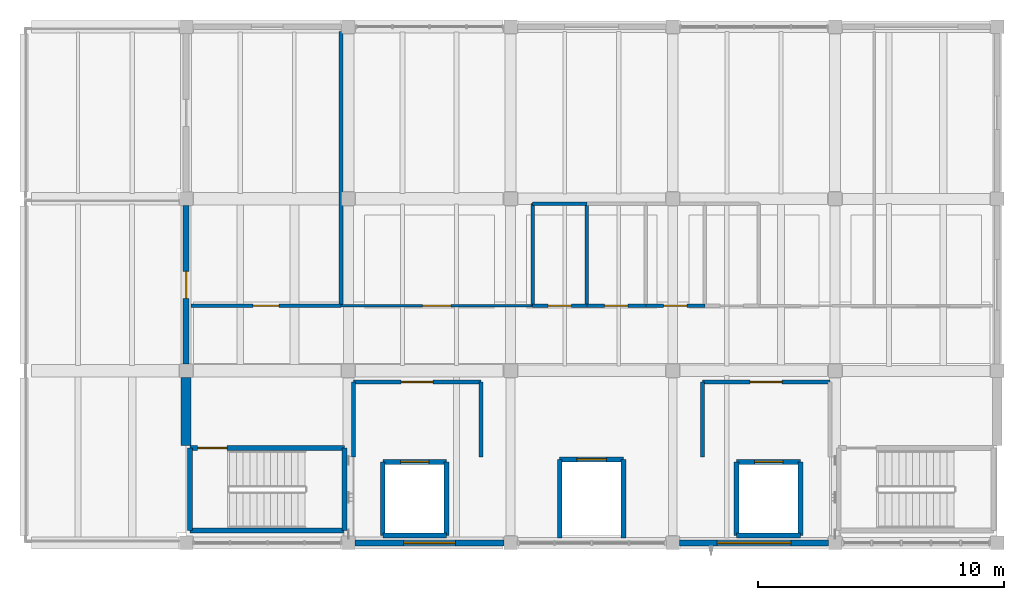
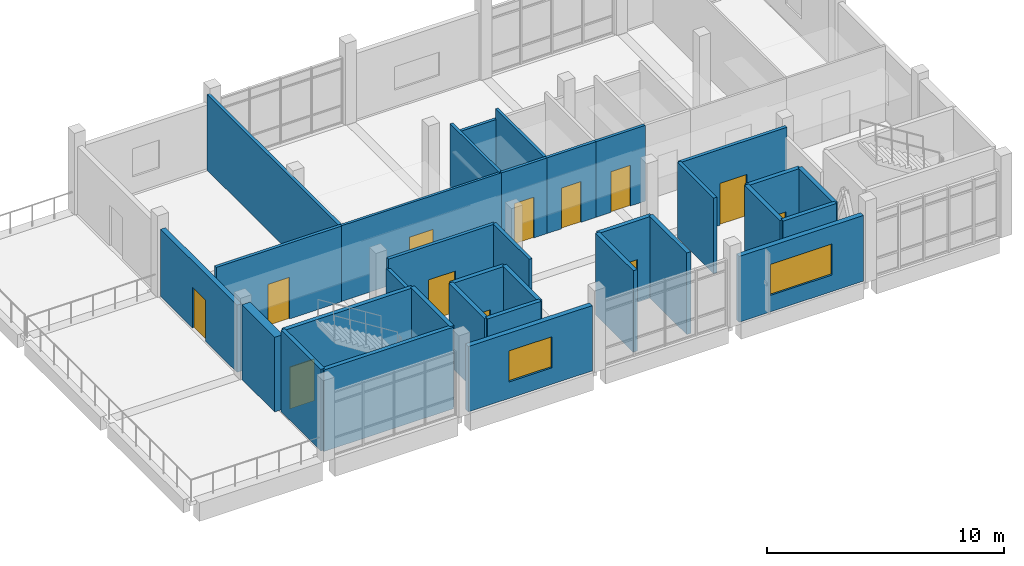
# One storey, part 8 of 12: 33 walls, 12 doors, 2 windows, 14 openings.
"""IFC4 building model written with IfcOpenShell, lengths in metres."""

from ifc_helpers import new_model, si_unit, direction, frame, frame_2d, origin, place, context, subcontext, project, spatial, rectangle, extrude, material, layer, layer_set, type_object, element, fill, save


model = new_model("IFC4")

# Units and contexts
model_context = context("Model", 3, precision=1e-05, world=origin(), true_north=direction((0.0, 1.0)))
body_context = subcontext(model_context, "Body", "Model", "MODEL_VIEW")
ifc_project = project(units=[si_unit("LENGTHUNIT", "METRE"), si_unit("AREAUNIT", "SQUARE_METRE"), si_unit("VOLUMEUNIT", "CUBIC_METRE"), si_unit("PLANEANGLEUNIT", "RADIAN"), si_unit("MASSUNIT", "GRAM", prefix="KILO")], contexts=[model_context])

# Site, building, storey
site_placement = place(None, origin())
site = spatial("IfcSite", under=ifc_project, at=site_placement, CompositionType="ELEMENT")
building_placement = place(site_placement, origin())
building = spatial("IfcBuilding", under=site, at=building_placement, Name="Ciguamira Faculty of Natural Sciences", CompositionType="ELEMENT")
storey_placement = place(building_placement, frame((0.0, 0.0, 37.800048828125)))
storey = spatial("IfcBuildingStorey", under=building, at=storey_placement, Name="L09", CompositionType="ELEMENT", Elevation=37.800048828125)

# Wall, opening, window
ifc_material_1 = material(Name="Precast concrete C40/50", Category="concrete")
ifc_layer_1 = layer(ifc_material_1, 0.239990234375, Name="Precast concrete C40/50")
ifc_layer_set_1 = layer_set([ifc_layer_1], Name="Precast concrete C40/50")
wall_type_1 = type_object("IfcWallType", Name="ExtWall_EW-02_240", PredefinedType="SOLIDWALL", material=ifc_layer_set_1)
wall_1_placement = place(storey_placement, frame((77.375, 94.0, 0.0), z_axis=(0.0, 0.0, 1.0), x_axis=(1.0, 0.0, 0.0)))
wall_1 = element("IfcWall", 1, at=wall_1_placement, inside=storey, type_object=wall_type_1, Name="L09 exterior wall 0385", PredefinedType="SOLIDWALL", context=body_context, shape_type="SweptSolid", body=[
    extrude(rectangle(XDim=6.050048828125, YDim=0.239990234375, at=frame_2d((3.02490234375, 0.0))), origin(), (0.0, 0.0, 1.0), 3.364990234375),
])
opening_1_placement = place(wall_1_placement, frame((1.97509765625, 0.0, 0.85009765625)))
opening_1 = element("IfcOpeningElement", 2, at=opening_1_placement, cuts=wall_1, Name="Opening WT-22", PredefinedType="OPENING", context=body_context, shape_type="SweptSolid", body=[
    extrude(rectangle(XDim=2.10009765625, YDim=1.60009765625, at=frame_2d((1.050048828125, 0.800048828125))), frame((0.0, 0.1298828125, 0.0), z_axis=(0.0, -1.0, 0.0), x_axis=(1.0, 0.0, 0.0)), (0.0, 0.0, 1.0), 0.260009765625),
])
ifc_material_2 = material(Name="Hurricane laminated solar glass", Category="glass")
window_type_1 = type_object("IfcWindowType", Name="Window_WT-22_2100x1600", PartitioningType="DOUBLE_PANEL_VERTICAL", PredefinedType="WINDOW", material=ifc_material_2)
window_1_placement = place(opening_1_placement, origin())
window_1 = element("IfcWindow", 3, at=window_1_placement, inside=storey, type_object=window_type_1, Name="L09 facade window 0271", OverallHeight=1.60009765625, OverallWidth=2.10009765625, PartitioningType="SINGLE_PANEL", PredefinedType="WINDOW", context=body_context, shape_type="SweptSolid", body=[
    extrude(rectangle(XDim=2.10009765625, YDim=1.60009765625, at=frame_2d((1.050048828125, 0.800048828125))), frame((0.0, 0.030029296875, 0.0), z_axis=(0.0, -1.0, 0.0), x_axis=(1.0, 0.0, 0.0)), (0.0, 0.0, 1.0), 0.06005859375),
])
fill(opening_1, window_1)

wall_2_placement = place(storey_placement, frame((90.574951171875, 94.0, 0.0), z_axis=(0.0, 0.0, 1.0), x_axis=(1.0, 0.0, 0.0)))
wall_2 = element("IfcWall", 4, at=wall_2_placement, inside=storey, type_object=wall_type_1, Name="L09 exterior wall 0386", PredefinedType="SOLIDWALL", context=body_context, shape_type="SweptSolid", body=[
    extrude(rectangle(XDim=6.050048828125, YDim=0.239990234375, at=frame_2d((3.02490234375, 0.0))), origin(), (0.0, 0.0, 1.0), 3.385009765625),
])
opening_2_placement = place(wall_2_placement, frame((1.52490234375, 0.0, 0.85009765625)))
opening_2 = element("IfcOpeningElement", 5, at=opening_2_placement, cuts=wall_2, Name="Opening WT-25", PredefinedType="OPENING", context=body_context, shape_type="SweptSolid", body=[
    extrude(rectangle(XDim=3.0, YDim=1.60009765625, at=frame_2d((1.5, 0.800048828125))), frame((0.0, 0.1298828125, 0.0), z_axis=(0.0, -1.0, 0.0), x_axis=(1.0, 0.0, 0.0)), (0.0, 0.0, 1.0), 0.260009765625),
])
window_type_2 = type_object("IfcWindowType", Name="Window_WT-25_3000x1600", PartitioningType="DOUBLE_PANEL_VERTICAL", PredefinedType="WINDOW", material=ifc_material_2)
window_2_placement = place(opening_2_placement, origin())
window_2 = element("IfcWindow", 6, at=window_2_placement, inside=storey, type_object=window_type_2, Name="L09 facade window 0272", OverallHeight=1.60009765625, OverallWidth=3.0, PartitioningType="SINGLE_PANEL", PredefinedType="WINDOW", context=body_context, shape_type="SweptSolid", body=[
    extrude(rectangle(XDim=3.0, YDim=1.60009765625, at=frame_2d((1.5, 0.800048828125))), frame((0.0, 0.030029296875, 0.0), z_axis=(0.0, -1.0, 0.0), x_axis=(1.0, 0.0, 0.0)), (0.0, 0.0, 1.0), 0.06005859375),
])
fill(opening_2, window_2)

# Wall, opening, door
wall_3_placement = place(storey_placement, frame((70.5, 101.27490234375, 0.0), z_axis=(0.0, 0.0, 1.0), x_axis=(0.0, 1.0, 0.0)))
wall_3 = element("IfcWall", 7, at=wall_3_placement, inside=storey, type_object=wall_type_1, Name="L09 exterior wall 0391", PredefinedType="SOLIDWALL", context=body_context, shape_type="SweptSolid", body=[
    extrude(rectangle(XDim=6.4501953125, YDim=0.239990234375, at=frame_2d((3.22509765625, 0.0))), origin(), (0.0, 0.0, 1.0), 3.46484375),
])
opening_3_placement = place(wall_3_placement, frame((2.675048828125, 0.0, 0.0)))
opening_3 = element("IfcOpeningElement", 8, at=opening_3_placement, cuts=wall_3, Name="Opening ED-07", PredefinedType="OPENING", context=body_context, shape_type="SweptSolid", body=[
    extrude(rectangle(XDim=1.10009765625, YDim=2.10009765625, at=frame_2d((0.550048828125, 1.050048828125))), frame((0.0, 0.1298828125, 0.0), z_axis=(0.0, -1.0, 0.0), x_axis=(1.0, 0.0, 0.0)), (0.0, 0.0, 1.0), 0.260009765625),
])
ifc_material_3 = material(Name="Balcony single access door")
door_type_1 = type_object("IfcDoorType", Name="ExtDoor_ED-07_1100x2100", OperationType="NOTDEFINED", PredefinedType="DOOR", material=ifc_material_3)
door_1_placement = place(opening_3_placement, origin())
door_1 = element("IfcDoor", 9, at=door_1_placement, inside=storey, type_object=door_type_1, Name="Upper West Faculty Sky Terrace Door", OperationType="SINGLE_SWING_LEFT", OverallHeight=2.10009765625, OverallWidth=1.10009765625, PredefinedType="DOOR", context=body_context, shape_type="SweptSolid", body=[
    extrude(rectangle(XDim=1.10009765625, YDim=2.10009765625, at=frame_2d((0.550048828125, 1.050048828125))), frame((0.0, 0.02490234375, 0.0), z_axis=(0.0, -1.0, 0.0), x_axis=(1.0, 0.0, 0.0)), (0.0, 0.0, 1.0), 0.050048828125),
])
fill(opening_3, door_1)

# Walls
ifc_material_4 = material(Name="Concrete C40/50", Category="concrete")
ifc_layer_2 = layer(ifc_material_4, 0.39990234375, Name="Concrete C40/50")
ifc_layer_set_2 = layer_set([ifc_layer_2], Name="Concrete C40/50")
wall_type_2 = type_object("IfcWallType", Name="ExtWall_RW-02_400", PredefinedType="SHEAR", material=ifc_layer_set_2)
wall_4_placement = place(storey_placement, frame((70.5, 97.9599609375, 0.0), z_axis=(0.0, 0.0, 1.0), x_axis=(0.0, 1.0, 0.0)))
element("IfcWall", 10, at=wall_4_placement, inside=storey, type_object=wall_type_2, Name="L09 exterior wall 0390", PredefinedType="SHEAR", context=body_context, shape_type="SweptSolid", body=[
    extrude(rectangle(XDim=2.76513671875, YDim=0.39990234375, at=frame_2d((1.382568359375, 0.0))), origin(), (0.0, 0.0, 1.0), 3.849853515625),
])
ifc_layer_3 = layer(ifc_material_4, 0.199951171875, Name="Concrete C40/50")
ifc_layer_set_3 = layer_set([ifc_layer_3], Name="Concrete C40/50")
wall_type_3 = type_object("IfcWallType", Name="IntWall_CW-S20_200", PredefinedType="SHEAR", material=ifc_layer_set_3)
wall_5_placement = place(storey_placement, frame((70.64990234375, 94.5, 0.0), z_axis=(0.0, 0.0, 1.0), x_axis=(1.0, 0.0, 0.0)))
element("IfcWall", 11, at=wall_5_placement, inside=storey, type_object=wall_type_3, Name="L09 ST-T1 core shear wall south", PredefinedType="SHEAR", context=body_context, shape_type="SweptSolid", body=[
    extrude(rectangle(XDim=6.300048828125, YDim=0.199951171875, at=frame_2d((3.14990234375, 0.0))), origin(), (0.0, 0.0, 1.0), 4.199951171875),
])

# Wall, opening, door
wall_6_placement = place(storey_placement, frame((70.64990234375, 97.860107421875, 0.0), z_axis=(0.0, 0.0, 1.0), x_axis=(1.0, 0.0, 0.0)))
wall_6 = element("IfcWall", 12, at=wall_6_placement, inside=storey, type_object=wall_type_3, Name="L09 ST-T1 core shear wall north", PredefinedType="SHEAR", context=body_context, shape_type="SweptSolid", body=[
    extrude(rectangle(XDim=6.300048828125, YDim=0.199951171875, at=frame_2d((3.14990234375, 0.0))), origin(), (0.0, 0.0, 1.0), 4.199951171875),
])
opening_4_placement = place(wall_6_placement, frame((0.320068359375, 0.0, 0.0)))
opening_4 = element("IfcOpeningElement", 13, at=opening_4_placement, cuts=wall_6, Name="Opening ID-14", PredefinedType="OPENING", context=body_context, shape_type="SweptSolid", body=[
    extrude(rectangle(XDim=1.199951171875, YDim=2.14990234375, at=frame_2d((0.60009765625, 1.074951171875))), frame((0.0, 0.10986328125, 0.0), z_axis=(0.0, -1.0, 0.0), x_axis=(1.0, 0.0, 0.0)), (0.0, 0.0, 1.0), 0.219970703125),
])
ifc_material_5 = material(Name="Protected exit stair fire door")
door_type_2 = type_object("IfcDoorType", Name="IntDoor_ID-14_1200x2150", OperationType="NOTDEFINED", PredefinedType="DOOR", material=ifc_material_5)
door_2_placement = place(opening_4_placement, frame((1.199951171875, 0.0, 0.0), z_axis=(0.0, 0.0, 1.0), x_axis=(-1.0, 0.0, 0.0)))
door_2 = element("IfcDoor", 14, at=door_2_placement, inside=storey, type_object=door_type_2, Name="L09 ST-T1 exit stair fire door", OperationType="SINGLE_SWING_LEFT", OverallHeight=2.14990234375, OverallWidth=1.199951171875, PredefinedType="DOOR", context=body_context, shape_type="SweptSolid", body=[
    extrude(rectangle(XDim=1.199951171875, YDim=2.14990234375, at=frame_2d((0.60009765625, 1.074951171875))), frame((0.0, 0.02490234375, 0.0), z_axis=(0.0, -1.0, 0.0), x_axis=(1.0, 0.0, 0.0)), (0.0, 0.0, 1.0), 0.050048828125),
])
fill(opening_4, door_2)

# Walls
for number, where, z_axis, x_axis, name in (
    (15, (70.64990234375, 94.5, 0.0), (0.0, 0.0, 1.0), (0.0, 1.0, 0.0), "L09 ST-T1 core shear wall west"),
    (16, (76.949951171875, 94.5, 0.0), (0.0, 0.0, 1.0), (0.0, 1.0, 0.0), "L09 ST-T1 core shear wall east"),
):
    element("IfcWall", number, at=place(storey_placement, frame(where, z_axis=z_axis, x_axis=x_axis)), inside=storey, type_object=wall_type_3, Name=name, PredefinedType="SHEAR", context=body_context, shape_type="SweptSolid", body=[
        extrude(rectangle(XDim=3.360107421875, YDim=0.199951171875, at=frame_2d((1.68017578125, 0.0))), origin(), (0.0, 0.0, 1.0), 4.199951171875),
    ])
wall_7_placement = place(storey_placement, frame((78.5, 94.300048828125, 0.0), z_axis=(0.0, 0.0, 1.0), x_axis=(1.0, 0.0, 0.0)))
element("IfcWall", 17, at=wall_7_placement, inside=storey, type_object=wall_type_3, Name="L09 EL-FF1 hoistway wall south", PredefinedType="SHEAR", context=body_context, shape_type="SweptSolid", body=[
    extrude(rectangle(XDim=2.60009765625, YDim=0.199951171875, at=frame_2d((1.300048828125, 0.0))), origin(), (0.0, 0.0, 1.0), 4.199951171875),
])

# Wall, opening, door
wall_8_placement = place(storey_placement, frame((78.5, 97.300048828125, 0.0), z_axis=(0.0, 0.0, 1.0), x_axis=(1.0, 0.0, 0.0)))
wall_8 = element("IfcWall", 18, at=wall_8_placement, inside=storey, type_object=wall_type_3, Name="L09 EL-FF1 hoistway wall north", PredefinedType="SHEAR", context=body_context, shape_type="SweptSolid", body=[
    extrude(rectangle(XDim=2.60009765625, YDim=0.199951171875, at=frame_2d((1.300048828125, 0.0))), origin(), (0.0, 0.0, 1.0), 4.199951171875),
])
opening_5_placement = place(wall_8_placement, frame((0.72509765625, 0.0, 0.0)))
opening_5 = element("IfcOpeningElement", 19, at=opening_5_placement, cuts=wall_8, Name="Opening LD-03", PredefinedType="OPENING", context=body_context, shape_type="SweptSolid", body=[
    extrude(rectangle(XDim=1.14990234375, YDim=2.199951171875, at=frame_2d((0.574951171875, 1.10009765625))), frame((0.0, 0.10986328125, 0.0), z_axis=(0.0, -1.0, 0.0), x_axis=(1.0, 0.0, 0.0)), (0.0, 0.0, 1.0), 0.219970703125),
])
ifc_material_6 = material(Name="Firefighting lift sliding landing door")
door_type_3 = type_object("IfcDoorType", Name="LiftLandingDoor_LD-03_1150x2200", OperationType="SLIDING_TO_LEFT", PredefinedType="DOOR", material=ifc_material_6)
door_3_placement = place(opening_5_placement, origin())
door_3 = element("IfcDoor", 20, at=door_3_placement, inside=storey, type_object=door_type_3, Name="L09 EL-FF1 elevator landing sliding door", OperationType="SLIDING_TO_LEFT", OverallHeight=2.199951171875, OverallWidth=1.14990234375, PredefinedType="DOOR", context=body_context, shape_type="SweptSolid", body=[
    extrude(rectangle(XDim=1.14990234375, YDim=2.199951171875, at=frame_2d((0.574951171875, 1.10009765625))), frame((0.0, 0.02490234375, 0.0), z_axis=(0.0, -1.0, 0.0), x_axis=(1.0, 0.0, 0.0)), (0.0, 0.0, 1.0), 0.050048828125),
])
fill(opening_5, door_3)

# Walls
for number, where, z_axis, x_axis, name in (
    (21, (78.5, 94.300048828125, 0.0), (0.0, 0.0, 1.0), (0.0, 1.0, 0.0), "L09 EL-FF1 hoistway wall west"),
    (22, (81.10009765625, 94.300048828125, 0.0), (0.0, 0.0, 1.0), (0.0, 1.0, 0.0), "L09 EL-FF1 hoistway wall east"),
):
    element("IfcWall", number, at=place(storey_placement, frame(where, z_axis=z_axis, x_axis=x_axis)), inside=storey, type_object=wall_type_3, Name=name, PredefinedType="SHEAR", context=body_context, shape_type="SweptSolid", body=[
        extrude(rectangle(XDim=3.0, YDim=0.199951171875, at=frame_2d((1.5, 0.0))), origin(), (0.0, 0.0, 1.0), 4.199951171875),
    ])
wall_9_placement = place(storey_placement, frame((92.89990234375, 94.300048828125, 0.0), z_axis=(0.0, 0.0, 1.0), x_axis=(1.0, 0.0, 0.0)))
element("IfcWall", 23, at=wall_9_placement, inside=storey, type_object=wall_type_3, Name="L09 EL-FF2 hoistway wall south", PredefinedType="SHEAR", context=body_context, shape_type="SweptSolid", body=[
    extrude(rectangle(XDim=2.60009765625, YDim=0.199951171875, at=frame_2d((1.300048828125, 0.0))), origin(), (0.0, 0.0, 1.0), 4.199951171875),
])

# Wall, opening, door
wall_10_placement = place(storey_placement, frame((92.89990234375, 97.300048828125, 0.0), z_axis=(0.0, 0.0, 1.0), x_axis=(1.0, 0.0, 0.0)))
wall_10 = element("IfcWall", 24, at=wall_10_placement, inside=storey, type_object=wall_type_3, Name="L09 EL-FF2 hoistway wall north", PredefinedType="SHEAR", context=body_context, shape_type="SweptSolid", body=[
    extrude(rectangle(XDim=2.60009765625, YDim=0.199951171875, at=frame_2d((1.300048828125, 0.0))), origin(), (0.0, 0.0, 1.0), 4.199951171875),
])
opening_6_placement = place(wall_10_placement, frame((0.72509765625, 0.0, 0.0)))
opening_6 = element("IfcOpeningElement", 25, at=opening_6_placement, cuts=wall_10, Name="Opening LD-03", PredefinedType="OPENING", context=body_context, shape_type="SweptSolid", body=[
    extrude(rectangle(XDim=1.14990234375, YDim=2.199951171875, at=frame_2d((0.574951171875, 1.10009765625))), frame((0.0, 0.10986328125, 0.0), z_axis=(0.0, -1.0, 0.0), x_axis=(1.0, 0.0, 0.0)), (0.0, 0.0, 1.0), 0.219970703125),
])
door_4_placement = place(opening_6_placement, origin())
door_4 = element("IfcDoor", 26, at=door_4_placement, inside=storey, type_object=door_type_3, Name="L09 EL-FF2 elevator landing sliding door", OperationType="SLIDING_TO_LEFT", OverallHeight=2.199951171875, OverallWidth=1.14990234375, PredefinedType="DOOR", context=body_context, shape_type="SweptSolid", body=[
    extrude(rectangle(XDim=1.14990234375, YDim=2.199951171875, at=frame_2d((0.574951171875, 1.10009765625))), frame((0.0, 0.02490234375, 0.0), z_axis=(0.0, -1.0, 0.0), x_axis=(1.0, 0.0, 0.0)), (0.0, 0.0, 1.0), 0.050048828125),
])
fill(opening_6, door_4)

# Walls
for number, where, z_axis, x_axis, name in (
    (27, (92.89990234375, 94.300048828125, 0.0), (0.0, 0.0, 1.0), (0.0, 1.0, 0.0), "L09 EL-FF2 hoistway wall west"),
    (28, (95.5, 94.300048828125, 0.0), (0.0, 0.0, 1.0), (0.0, 1.0, 0.0), "L09 EL-FF2 hoistway wall east"),
):
    element("IfcWall", number, at=place(storey_placement, frame(where, z_axis=z_axis, x_axis=x_axis)), inside=storey, type_object=wall_type_3, Name=name, PredefinedType="SHEAR", context=body_context, shape_type="SweptSolid", body=[
        extrude(rectangle(XDim=3.0, YDim=0.199951171875, at=frame_2d((1.5, 0.0))), origin(), (0.0, 0.0, 1.0), 4.199951171875),
    ])

# Wall, opening, door
wall_11_placement = place(storey_placement, frame((85.699951171875, 97.39990234375, 0.0), z_axis=(0.0, 0.0, 1.0), x_axis=(1.0, 0.0, 0.0)))
wall_11 = element("IfcWall", 29, at=wall_11_placement, inside=storey, type_object=wall_type_3, Name="L09 EL-P1 hoistway wall north", PredefinedType="SHEAR", context=body_context, shape_type="SweptSolid", body=[
    extrude(rectangle(XDim=2.60009765625, YDim=0.199951171875, at=frame_2d((1.300048828125, 0.0))), origin(), (0.0, 0.0, 1.0), 4.199951171875),
])
opening_7_placement = place(wall_11_placement, frame((0.699951171875, 0.0, 0.0)))
opening_7 = element("IfcOpeningElement", 30, at=opening_7_placement, cuts=wall_11, Name="Opening LD-02", PredefinedType="OPENING", context=body_context, shape_type="SweptSolid", body=[
    extrude(rectangle(XDim=1.199951171875, YDim=2.199951171875, at=frame_2d((0.60009765625, 1.10009765625))), frame((0.0, 0.10986328125, 0.0), z_axis=(0.0, -1.0, 0.0), x_axis=(1.0, 0.0, 0.0)), (0.0, 0.0, 1.0), 0.219970703125),
])
ifc_material_7 = material(Name="Stretcher elevator sliding landing door")
door_type_4 = type_object("IfcDoorType", Name="LiftLandingDoor_LD-02_1200x2200", OperationType="SLIDING_TO_LEFT", PredefinedType="DOOR", material=ifc_material_7)
door_5_placement = place(opening_7_placement, origin())
door_5 = element("IfcDoor", 31, at=door_5_placement, inside=storey, type_object=door_type_4, Name="L09 EL-P1 elevator landing sliding door", OperationType="SLIDING_TO_LEFT", OverallHeight=2.199951171875, OverallWidth=1.199951171875, PredefinedType="DOOR", context=body_context, shape_type="SweptSolid", body=[
    extrude(rectangle(XDim=1.199951171875, YDim=2.199951171875, at=frame_2d((0.60009765625, 1.10009765625))), frame((0.0, 0.02490234375, 0.0), z_axis=(0.0, -1.0, 0.0), x_axis=(1.0, 0.0, 0.0)), (0.0, 0.0, 1.0), 0.050048828125),
])
fill(opening_7, door_5)

# Walls
for number, where, z_axis, x_axis, name in (
    (32, (85.699951171875, 94.199951171875, 0.0), (0.0, 0.0, 1.0), (0.0, 1.0, 0.0), "L09 EL-P1 hoistway wall west"),
    (33, (88.300048828125, 94.199951171875, 0.0), (0.0, 0.0, 1.0), (0.0, 1.0, 0.0), "L09 EL-P1 hoistway wall east"),
):
    element("IfcWall", number, at=place(storey_placement, frame(where, z_axis=z_axis, x_axis=x_axis)), inside=storey, type_object=wall_type_3, Name=name, PredefinedType="SHEAR", context=body_context, shape_type="SweptSolid", body=[
        extrude(rectangle(XDim=3.199951171875, YDim=0.199951171875, at=frame_2d((1.60009765625, 0.0))), origin(), (0.0, 0.0, 1.0), 4.199951171875),
    ])

# Wall, opening, door
ifc_material_8 = material(Name="Acoustic double-stud gypsum partition")
ifc_layer_4 = layer(ifc_material_8, 0.1201171875, Name="Acoustic double-stud gypsum partition")
ifc_layer_set_4 = layer_set([ifc_layer_4], Name="Acoustic double-stud gypsum partition")
wall_type_4 = type_object("IfcWallType", Name="IntWall_IW-A12_120", PredefinedType="PARTITIONING", material=ifc_layer_set_4)
wall_12_placement = place(storey_placement, frame((76.800048828125, 103.64990234375, 0.0), z_axis=(0.0, 0.0, 1.0), x_axis=(1.0, 0.0, 0.0)))
wall_12 = element("IfcWall", 34, at=wall_12_placement, inside=storey, type_object=wall_type_4, Name="L09 Ethnobotany Seminar Lounge partition south", PredefinedType="PARTITIONING", context=body_context, shape_type="SweptSolid", body=[
    extrude(rectangle(XDim=7.800048828125, YDim=0.1201171875, at=frame_2d((3.89990234375, 0.0))), origin(), (0.0, 0.0, 1.0), 3.89990234375),
])
opening_8_placement = place(wall_12_placement, frame((3.324951171875, 0.0, 0.0)))
opening_8 = element("IfcOpeningElement", 35, at=opening_8_placement, cuts=wall_12, Name="Opening ID-05", PredefinedType="OPENING", context=body_context, shape_type="SweptSolid", body=[
    extrude(rectangle(XDim=1.14990234375, YDim=2.14990234375, at=frame_2d((0.574951171875, 1.074951171875))), frame((0.0, 0.070068359375, 0.0), z_axis=(0.0, -1.0, 0.0), x_axis=(1.0, 0.0, 0.0)), (0.0, 0.0, 1.0), 0.14013671875),
])
ifc_material_9 = material(Name="Research office wide door")
door_type_5 = type_object("IfcDoorType", Name="IntDoor_ID-05_1150x2150", OperationType="NOTDEFINED", PredefinedType="DOOR", material=ifc_material_9)
door_6_placement = place(opening_8_placement, origin())
door_6 = element("IfcDoor", 36, at=door_6_placement, inside=storey, type_object=door_type_5, Name="L09 Ethnobotany Seminar Lounge door", OperationType="SINGLE_SWING_LEFT", OverallHeight=2.14990234375, OverallWidth=1.14990234375, PredefinedType="DOOR", context=body_context, shape_type="SweptSolid", body=[
    extrude(rectangle(XDim=1.14990234375, YDim=2.14990234375, at=frame_2d((0.574951171875, 1.074951171875))), frame((0.0, 0.02490234375, 0.0), z_axis=(0.0, -1.0, 0.0), x_axis=(1.0, 0.0, 0.0)), (0.0, 0.0, 1.0), 0.050048828125),
])
fill(opening_8, door_6)

ifc_material_10 = material(Name="Fire-rated blockwork wall", Category="masonry")
ifc_layer_5 = layer(ifc_material_10, 0.159912109375, Name="Fire-rated blockwork wall")
ifc_layer_set_5 = layer_set([ifc_layer_5], Name="Fire-rated blockwork wall")
wall_type_5 = type_object("IfcWallType", Name="IntWall_IW-F16_160", PredefinedType="SOLIDWALL", material=ifc_layer_set_5)
wall_13_placement = place(storey_placement, frame((77.300048828125, 100.550048828125, 0.0), z_axis=(0.0, 0.0, 1.0), x_axis=(1.0, 0.0, 0.0)))
wall_13 = element("IfcWall", 37, at=wall_13_placement, inside=storey, type_object=wall_type_5, Name="L09 Firefighting Lift Lobby 1 partition north", PredefinedType="SOLIDWALL", context=body_context, shape_type="SweptSolid", body=[
    extrude(rectangle(XDim=5.199951171875, YDim=0.159912109375, at=frame_2d((2.60009765625, 0.0))), origin(), (0.0, 0.0, 1.0), 3.89990234375),
])
opening_9_placement = place(wall_13_placement, frame((1.949951171875, 0.0, 0.0)))
opening_9 = element("IfcOpeningElement", 38, at=opening_9_placement, cuts=wall_13, Name="Opening ID-15", PredefinedType="OPENING", context=body_context, shape_type="SweptSolid", body=[
    extrude(rectangle(XDim=1.300048828125, YDim=2.14990234375, at=frame_2d((0.64990234375, 1.074951171875))), frame((0.0, 0.08984375, 0.0), z_axis=(0.0, -1.0, 0.0), x_axis=(1.0, 0.0, 0.0)), (0.0, 0.0, 1.0), 0.179931640625),
])
ifc_material_11 = material(Name="Firefighting lift lobby fire door")
door_type_6 = type_object("IfcDoorType", Name="IntDoor_ID-15_1300x2150", OperationType="NOTDEFINED", PredefinedType="DOOR", material=ifc_material_11)
door_7_placement = place(opening_9_placement, frame((1.300048828125, 0.0, 0.0), z_axis=(0.0, 0.0, 1.0), x_axis=(-1.0, 0.0, 0.0)))
door_7 = element("IfcDoor", 39, at=door_7_placement, inside=storey, type_object=door_type_6, Name="L09 Firefighting Lift Lobby 1 door", OperationType="SINGLE_SWING_RIGHT", OverallHeight=2.14990234375, OverallWidth=1.300048828125, PredefinedType="DOOR", context=body_context, shape_type="SweptSolid", body=[
    extrude(rectangle(XDim=1.300048828125, YDim=2.14990234375, at=frame_2d((0.64990234375, 1.074951171875))), frame((0.0, 0.02490234375, 0.0), z_axis=(0.0, -1.0, 0.0), x_axis=(1.0, 0.0, 0.0)), (0.0, 0.0, 1.0), 0.050048828125),
])
fill(opening_9, door_7)

# Walls
wall_14_placement = place(storey_placement, frame((77.300048828125, 97.5, 0.0), z_axis=(0.0, 0.0, 1.0), x_axis=(0.0, 1.0, 0.0)))
element("IfcWall", 40, at=wall_14_placement, inside=storey, type_object=wall_type_5, Name="L09 Firefighting Lift Lobby 1 partition west", PredefinedType="SOLIDWALL", context=body_context, shape_type="SweptSolid", body=[
    extrude(rectangle(XDim=3.050048828125, YDim=0.159912109375, at=frame_2d((1.52490234375, 0.0))), origin(), (0.0, 0.0, 1.0), 3.405029296875),
])
wall_15_placement = place(storey_placement, frame((82.5, 97.5, 0.0), z_axis=(0.0, 0.0, 1.0), x_axis=(0.0, 1.0, 0.0)))
element("IfcWall", 41, at=wall_15_placement, inside=storey, type_object=wall_type_5, Name="L09 Firefighting Lift Lobby 1 partition east", PredefinedType="SOLIDWALL", context=body_context, shape_type="SweptSolid", body=[
    extrude(rectangle(XDim=3.050048828125, YDim=0.159912109375, at=frame_2d((1.52490234375, 0.0))), origin(), (0.0, 0.0, 1.0), 3.89990234375),
])

# Wall, opening, door
wall_16_placement = place(storey_placement, frame((91.5, 100.550048828125, 0.0), z_axis=(0.0, 0.0, 1.0), x_axis=(1.0, 0.0, 0.0)))
wall_16 = element("IfcWall", 42, at=wall_16_placement, inside=storey, type_object=wall_type_5, Name="L09 Firefighting Lift Lobby 2 partition north", PredefinedType="SOLIDWALL", context=body_context, shape_type="SweptSolid", body=[
    extrude(rectangle(XDim=5.199951171875, YDim=0.159912109375, at=frame_2d((2.60009765625, 0.0))), origin(), (0.0, 0.0, 1.0), 3.89990234375),
])
opening_10_placement = place(wall_16_placement, frame((1.949951171875, 0.0, 0.0)))
opening_10 = element("IfcOpeningElement", 43, at=opening_10_placement, cuts=wall_16, Name="Opening ID-15", PredefinedType="OPENING", context=body_context, shape_type="SweptSolid", body=[
    extrude(rectangle(XDim=1.300048828125, YDim=2.14990234375, at=frame_2d((0.64990234375, 1.074951171875))), frame((0.0, 0.08984375, 0.0), z_axis=(0.0, -1.0, 0.0), x_axis=(1.0, 0.0, 0.0)), (0.0, 0.0, 1.0), 0.179931640625),
])
door_8_placement = place(opening_10_placement, frame((1.300048828125, 0.0, 0.0), z_axis=(0.0, 0.0, 1.0), x_axis=(-1.0, 0.0, 0.0)))
door_8 = element("IfcDoor", 44, at=door_8_placement, inside=storey, type_object=door_type_6, Name="L09 Firefighting Lift Lobby 2 door", OperationType="SINGLE_SWING_LEFT", OverallHeight=2.14990234375, OverallWidth=1.300048828125, PredefinedType="DOOR", context=body_context, shape_type="SweptSolid", body=[
    extrude(rectangle(XDim=1.300048828125, YDim=2.14990234375, at=frame_2d((0.64990234375, 1.074951171875))), frame((0.0, 0.02490234375, 0.0), z_axis=(0.0, -1.0, 0.0), x_axis=(1.0, 0.0, 0.0)), (0.0, 0.0, 1.0), 0.050048828125),
])
fill(opening_10, door_8)

# Wall
wall_17_placement = place(storey_placement, frame((91.5, 97.5, 0.0), z_axis=(0.0, 0.0, 1.0), x_axis=(0.0, 1.0, 0.0)))
element("IfcWall", 45, at=wall_17_placement, inside=storey, type_object=wall_type_5, Name="L09 Firefighting Lift Lobby 2 partition west", PredefinedType="SOLIDWALL", context=body_context, shape_type="SweptSolid", body=[
    extrude(rectangle(XDim=3.050048828125, YDim=0.159912109375, at=frame_2d((1.52490234375, 0.0))), origin(), (0.0, 0.0, 1.0), 3.89990234375),
])

# Wall, opening, door
ifc_material_12 = material(Name="Acoustic laboratory corridor partition")
ifc_layer_6 = layer(ifc_material_12, 0.14990234375, Name="Acoustic laboratory corridor partition")
ifc_layer_set_6 = layer_set([ifc_layer_6], Name="Acoustic laboratory corridor partition")
wall_type_6 = type_object("IfcWallType", Name="IntWall_IW-G15_150", PredefinedType="PARTITIONING", material=ifc_layer_set_6)
wall_18_placement = place(storey_placement, frame((70.699951171875, 103.64990234375, 0.0), z_axis=(0.0, 0.0, 1.0), x_axis=(1.0, 0.0, 0.0)))
wall_18 = element("IfcWall", 46, at=wall_18_placement, inside=storey, type_object=wall_type_6, Name="L09 National Herbarium Specimen Laboratory partition south", PredefinedType="PARTITIONING", context=body_context, shape_type="SweptSolid", body=[
    extrude(rectangle(XDim=6.10009765625, YDim=0.14990234375, at=frame_2d((3.050048828125, 0.0))), origin(), (0.0, 0.0, 1.0), 3.89990234375),
])
opening_11_placement = place(wall_18_placement, frame((2.52490234375, 0.0, 0.0)))
opening_11 = element("IfcOpeningElement", 47, at=opening_11_placement, cuts=wall_18, Name="Opening ID-04", PredefinedType="OPENING", context=body_context, shape_type="SweptSolid", body=[
    extrude(rectangle(XDim=1.050048828125, YDim=2.14990234375, at=frame_2d((0.52490234375, 1.074951171875))), frame((0.0, 0.0849609375, 0.0), z_axis=(0.0, -1.0, 0.0), x_axis=(1.0, 0.0, 0.0)), (0.0, 0.0, 1.0), 0.169921875),
])
ifc_material_13 = material(Name="Seminar acoustic single door")
door_type_7 = type_object("IfcDoorType", Name="IntDoor_ID-04_1050x2150", OperationType="NOTDEFINED", PredefinedType="DOOR", material=ifc_material_13)
door_9_placement = place(opening_11_placement, origin())
door_9 = element("IfcDoor", 48, at=door_9_placement, inside=storey, type_object=door_type_7, Name="L09 National Herbarium Specimen Laboratory door", OperationType="SINGLE_SWING_RIGHT", OverallHeight=2.14990234375, OverallWidth=1.050048828125, PredefinedType="DOOR", context=body_context, shape_type="SweptSolid", body=[
    extrude(rectangle(XDim=1.050048828125, YDim=2.14990234375, at=frame_2d((0.52490234375, 1.074951171875))), frame((0.0, 0.02490234375, 0.0), z_axis=(0.0, -1.0, 0.0), x_axis=(1.0, 0.0, 0.0)), (0.0, 0.0, 1.0), 0.050048828125),
])
fill(opening_11, door_9)

# Wall
wall_19_placement = place(storey_placement, frame((76.800048828125, 103.64990234375, 0.0), z_axis=(0.0, 0.0, 1.0), x_axis=(0.0, 1.0, 0.0)))
element("IfcWall", 49, at=wall_19_placement, inside=storey, type_object=wall_type_6, Name="L09 National Herbarium Specimen Laboratory partition east", PredefinedType="PARTITIONING", context=body_context, shape_type="SweptSolid", body=[
    extrude(rectangle(XDim=11.150146484375, YDim=0.14990234375, at=frame_2d((5.5751953125, 0.0))), origin(), (0.0, 0.0, 1.0), 3.89990234375),
])

# Wall, opening, door
ifc_material_14 = material(Name="Moisture-resistant service chase wall")
ifc_layer_7 = layer(ifc_material_14, 0.139892578125, Name="Moisture-resistant service chase wall")
ifc_layer_set_7 = layer_set([ifc_layer_7], Name="Moisture-resistant service chase wall")
wall_type_7 = type_object("IfcWallType", Name="IntWall_IW-P14_140", PredefinedType="PLUMBINGWALL", material=ifc_layer_set_7)
wall_20_placement = place(storey_placement, frame((84.60009765625, 103.64990234375, 0.0), z_axis=(0.0, 0.0, 1.0), x_axis=(1.0, 0.0, 0.0)))
wall_20 = element("IfcWall", 50, at=wall_20_placement, inside=storey, type_object=wall_type_7, Name="L09 Accessible WC partition south", PredefinedType="PLUMBINGWALL", context=body_context, shape_type="SweptSolid", body=[
    extrude(rectangle(XDim=2.199951171875, YDim=0.139892578125, at=frame_2d((1.10009765625, 0.0))), origin(), (0.0, 0.0, 1.0), 3.89990234375),
])
opening_12_placement = place(wall_20_placement, frame((0.625, 0.0, 0.0)))
opening_12 = element("IfcOpeningElement", 51, at=opening_12_placement, cuts=wall_20, Name="Opening ID-02", PredefinedType="OPENING", context=body_context, shape_type="SweptSolid", body=[
    extrude(rectangle(XDim=0.949951171875, YDim=2.10009765625, at=frame_2d((0.47509765625, 1.050048828125))), frame((0.0, 0.079833984375, 0.0), z_axis=(0.0, -1.0, 0.0), x_axis=(1.0, 0.0, 0.0)), (0.0, 0.0, 1.0), 0.159912109375),
])
ifc_material_15 = material(Name="Accessible WC outward-clear door")
door_type_8 = type_object("IfcDoorType", Name="IntDoor_ID-02_950x2100", OperationType="NOTDEFINED", PredefinedType="DOOR", material=ifc_material_15)
door_10_placement = place(opening_12_placement, origin())
door_10 = element("IfcDoor", 52, at=door_10_placement, inside=storey, type_object=door_type_8, Name="L09 Accessible WC door", OperationType="SINGLE_SWING_RIGHT", OverallHeight=2.10009765625, OverallWidth=0.949951171875, PredefinedType="DOOR", context=body_context, shape_type="SweptSolid", body=[
    extrude(rectangle(XDim=0.949951171875, YDim=2.10009765625, at=frame_2d((0.47509765625, 1.050048828125))), frame((0.0, 0.02490234375, 0.0), z_axis=(0.0, -1.0, 0.0), x_axis=(1.0, 0.0, 0.0)), (0.0, 0.0, 1.0), 0.050048828125),
])
fill(opening_12, door_10)

# Walls
wall_21_placement = place(storey_placement, frame((84.60009765625, 107.800048828125, 0.0), z_axis=(0.0, 0.0, 1.0), x_axis=(1.0, 0.0, 0.0)))
element("IfcWall", 53, at=wall_21_placement, inside=storey, type_object=wall_type_7, Name="L09 Accessible WC partition north", PredefinedType="PLUMBINGWALL", context=body_context, shape_type="SweptSolid", body=[
    extrude(rectangle(XDim=2.199951171875, YDim=0.139892578125, at=frame_2d((1.10009765625, 0.0))), origin(), (0.0, 0.0, 1.0), 3.385009765625),
])
for number, where, z_axis, x_axis, name in (
    (54, (84.60009765625, 103.64990234375, 0.0), (0.0, 0.0, 1.0), (0.0, 1.0, 0.0), "L09 Accessible WC partition west"),
    (55, (86.800048828125, 103.64990234375, 0.0), (0.0, 0.0, 1.0), (0.0, 1.0, 0.0), "L09 Accessible WC partition east"),
):
    element("IfcWall", number, at=place(storey_placement, frame(where, z_axis=z_axis, x_axis=x_axis)), inside=storey, type_object=wall_type_7, Name=name, PredefinedType="PLUMBINGWALL", context=body_context, shape_type="SweptSolid", body=[
        extrude(rectangle(XDim=4.150146484375, YDim=0.139892578125, at=frame_2d((2.0751953125, 0.0))), origin(), (0.0, 0.0, 1.0), 3.89990234375),
    ])

# Wall, opening, door
wall_22_placement = place(storey_placement, frame((86.800048828125, 103.64990234375, 0.0), z_axis=(0.0, 0.0, 1.0), x_axis=(1.0, 0.0, 0.0)))
wall_22 = element("IfcWall", 56, at=wall_22_placement, inside=storey, type_object=wall_type_7, Name="L09 Public Restroom Female partition south", PredefinedType="PLUMBINGWALL", context=body_context, shape_type="SweptSolid", body=[
    extrude(rectangle(XDim=2.39990234375, YDim=0.139892578125, at=frame_2d((1.199951171875, 0.0))), origin(), (0.0, 0.0, 1.0), 3.89990234375),
])
opening_13_placement = place(wall_22_placement, frame((0.72509765625, 0.0, 0.0)))
opening_13 = element("IfcOpeningElement", 57, at=opening_13_placement, cuts=wall_22, Name="Opening ID-02", PredefinedType="OPENING", context=body_context, shape_type="SweptSolid", body=[
    extrude(rectangle(XDim=0.949951171875, YDim=2.10009765625, at=frame_2d((0.47509765625, 1.050048828125))), frame((0.0, 0.079833984375, 0.0), z_axis=(0.0, -1.0, 0.0), x_axis=(1.0, 0.0, 0.0)), (0.0, 0.0, 1.0), 0.159912109375),
])
door_11_placement = place(opening_13_placement, origin())
door_11 = element("IfcDoor", 58, at=door_11_placement, inside=storey, type_object=door_type_8, Name="L09 Public Restroom Female door", OperationType="SINGLE_SWING_LEFT", OverallHeight=2.10009765625, OverallWidth=0.949951171875, PredefinedType="DOOR", context=body_context, shape_type="SweptSolid", body=[
    extrude(rectangle(XDim=0.949951171875, YDim=2.10009765625, at=frame_2d((0.47509765625, 1.050048828125))), frame((0.0, 0.02490234375, 0.0), z_axis=(0.0, -1.0, 0.0), x_axis=(1.0, 0.0, 0.0)), (0.0, 0.0, 1.0), 0.050048828125),
])
fill(opening_13, door_11)

wall_23_placement = place(storey_placement, frame((89.199951171875, 103.64990234375, 0.0), z_axis=(0.0, 0.0, 1.0), x_axis=(1.0, 0.0, 0.0)))
wall_23 = element("IfcWall", 59, at=wall_23_placement, inside=storey, type_object=wall_type_7, Name="L09 Public Restroom Male partition south", PredefinedType="PLUMBINGWALL", context=body_context, shape_type="SweptSolid", body=[
    extrude(rectangle(XDim=2.400146484375, YDim=0.139892578125, at=frame_2d((1.2001953125, 0.0))), origin(), (0.0, 0.0, 1.0), 3.89990234375),
])
opening_14_placement = place(wall_23_placement, frame((0.72509765625, 0.0, 0.0)))
opening_14 = element("IfcOpeningElement", 60, at=opening_14_placement, cuts=wall_23, Name="Opening ID-02", PredefinedType="OPENING", context=body_context, shape_type="SweptSolid", body=[
    extrude(rectangle(XDim=0.949951171875, YDim=2.10009765625, at=frame_2d((0.47509765625, 1.050048828125))), frame((0.0, 0.079833984375, 0.0), z_axis=(0.0, -1.0, 0.0), x_axis=(1.0, 0.0, 0.0)), (0.0, 0.0, 1.0), 0.159912109375),
])
door_12_placement = place(opening_14_placement, origin())
door_12 = element("IfcDoor", 61, at=door_12_placement, inside=storey, type_object=door_type_8, Name="L09 Public Restroom Male door", OperationType="SINGLE_SWING_RIGHT", OverallHeight=2.10009765625, OverallWidth=0.949951171875, PredefinedType="DOOR", context=body_context, shape_type="SweptSolid", body=[
    extrude(rectangle(XDim=0.949951171875, YDim=2.10009765625, at=frame_2d((0.47509765625, 1.050048828125))), frame((0.0, 0.02490234375, 0.0), z_axis=(0.0, -1.0, 0.0), x_axis=(1.0, 0.0, 0.0)), (0.0, 0.0, 1.0), 0.050048828125),
])
fill(opening_14, door_12)

save(model, "model.ifc")
